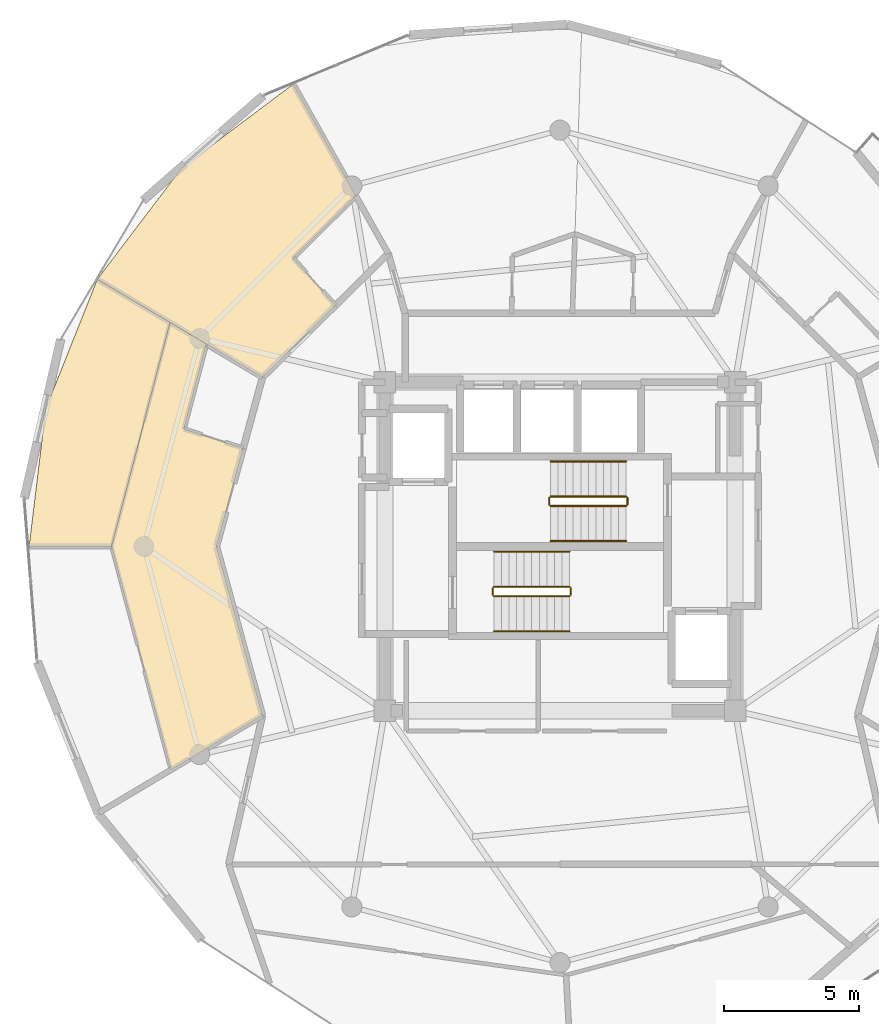
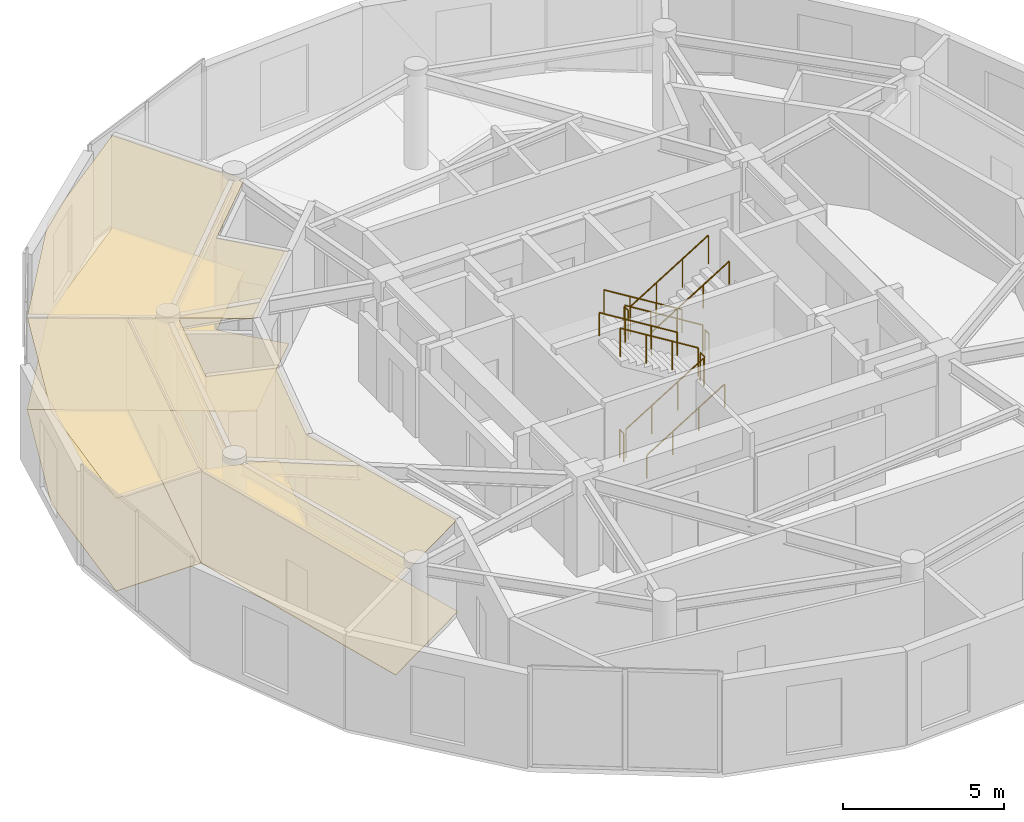
# One storey, part 21 of 22: 12 railings, 6 coverings.
"""IFC4 building model written with IfcOpenShell, lengths in metres."""

from ifc_helpers import new_model, si_unit, direction, frame, origin, origin_2d, place, context, subcontext, project, spatial, polyline, circle, outline, extrude, material, layer, layer_set, type_object, element, save


model = new_model("IFC4")

# Units and contexts
model_context = context("Model", 3, precision=1e-05, world=origin(), true_north=direction((0.0, 1.0)))
body_context = subcontext(model_context, "Body", "Model", "MODEL_VIEW")
ifc_project = project(units=[si_unit("LENGTHUNIT", "METRE"), si_unit("AREAUNIT", "SQUARE_METRE"), si_unit("VOLUMEUNIT", "CUBIC_METRE"), si_unit("PLANEANGLEUNIT", "RADIAN"), si_unit("MASSUNIT", "GRAM", prefix="KILO")], contexts=[model_context])

# Site, building, storey
site_placement = place(None, origin())
site = spatial("IfcSite", under=ifc_project, at=site_placement, CompositionType="ELEMENT")
building_placement = place(site_placement, origin())
building = spatial("IfcBuilding", under=site, at=building_placement, Name="Solvirekh Grand Hotel", CompositionType="ELEMENT")
storey_placement = place(building_placement, frame((0.0, 0.0, 239.199951171875)))
storey = spatial("IfcBuildingStorey", under=building, at=storey_placement, Name="L62", CompositionType="ELEMENT", Elevation=239.199951171875)

# Coverings
ifc_material_1 = material(Name="Acoustic Mineral Ceiling Tile")
ifc_layer_1 = layer(ifc_material_1, 0.02490234375)
ifc_layer_set_1 = layer_set([ifc_layer_1], Name="Acoustic Mineral Ceiling Tile")
covering_type_1 = type_object("IfcCoveringType", Name="Cov_Ceiling_Acoustic", PredefinedType="CEILING", material=ifc_layer_set_1)
covering_1_placement = place(storey_placement, frame((0.0, 0.0, 3.52001953125)))
element("IfcCovering", 1, at=covering_1_placement, inside=storey, type_object=covering_type_1, Name="L62 Deluxe Guestroom 6403 acoustic ceiling", PredefinedType="CEILING", context=body_context, shape_type="SweptSolid", body=[
    extrude(outline(polyline([(-9.906982421875, 10.699951171875), (-7.574951171875, 13.007080078125), (-9.905029296875, 17.156005859375), (-14.0439453125, 14.0439453125), (-17.173095703125, 9.9150390625), (-11.0419921875, 6.27490234375), (-8.3349609375, 8.93994140625), (-9.906982421875, 10.699951171875)])), origin(), (0.0, 0.0, 1.0), 0.01806640625),
])
covering_2_placement = place(storey_placement, frame((0.0, 0.0, 3.52001953125)))
element("IfcCovering", 2, at=covering_2_placement, inside=storey, type_object=covering_type_1, Name="L62 Executive Suite 6404 Living Room acoustic ceiling", PredefinedType="CEILING", context=body_context, shape_type="SweptSolid", body=[
    extrude(outline(polyline([(-13.9609375, 4.35791015625), (-13.126953125, 7.512939453125), (-14.47509765625, 8.31298828125), (-16.64501953125, 0.0), (-14.443115234375, -8.294921875), (-11.0419921875, -6.27490234375), (-12.75, 0.0), (-11.759033203125, 3.639892578125), (-13.9609375, 4.35791015625)])), origin(), (0.0, 0.0, 1.0), 0.01806640625),
])
covering_3_placement = place(storey_placement, frame((0.0, 0.0, 3.52001953125)))
element("IfcCovering", 3, at=covering_3_placement, inside=storey, type_object=covering_type_1, Name="L62 Executive Suite 6404 Master Bedroom acoustic ceiling", PredefinedType="CEILING", context=body_context, shape_type="SweptSolid", body=[
    extrude(outline(polyline([(-17.173095703125, 9.9150390625), (-19.0859375, 5.114013671875), (-19.705078125, 0.0), (-16.64501953125, 0.0), (-14.47509765625, 8.31298828125), (-17.173095703125, 9.9150390625)])), origin(), (0.0, 0.0, 1.0), 0.01806640625),
])
ifc_material_2 = material(Name="Porcelain Stoneware Flooring", Category="masonry")
ifc_layer_2 = layer(ifc_material_2, 0.030029296875)
ifc_layer_set_2 = layer_set([ifc_layer_2], Name="Porcelain Stoneware Flooring")
covering_type_2 = type_object("IfcCoveringType", Name="Cov_Floor_Stone", PredefinedType="FLOORING", material=ifc_layer_set_2)
covering_4_placement = place(storey_placement, origin())
element("IfcCovering", 4, at=covering_4_placement, inside=storey, type_object=covering_type_2, Name="L62 Deluxe Guestroom 6403 polished granite flooring", PredefinedType="FLOORING", context=body_context, shape_type="SweptSolid", body=[
    extrude(outline(polyline([(-9.906982421875, 10.699951171875), (-7.574951171875, 13.007080078125), (-9.905029296875, 17.156005859375), (-14.0439453125, 14.0439453125), (-17.173095703125, 9.9150390625), (-11.0419921875, 6.27490234375), (-8.3349609375, 8.93994140625), (-9.906982421875, 10.699951171875)])), origin(), (0.0, 0.0, 1.0), 0.02001953125),
])
covering_5_placement = place(storey_placement, origin())
element("IfcCovering", 5, at=covering_5_placement, inside=storey, type_object=covering_type_2, Name="L62 Executive Suite 6404 Living Room polished granite flooring", PredefinedType="FLOORING", context=body_context, shape_type="SweptSolid", body=[
    extrude(outline(polyline([(-13.9609375, 4.35791015625), (-13.126953125, 7.512939453125), (-14.47509765625, 8.31298828125), (-16.64501953125, 0.0), (-14.443115234375, -8.294921875), (-11.0419921875, -6.27490234375), (-12.75, 0.0), (-11.759033203125, 3.639892578125), (-13.9609375, 4.35791015625)])), origin(), (0.0, 0.0, 1.0), 0.02001953125),
])
covering_6_placement = place(storey_placement, origin())
element("IfcCovering", 6, at=covering_6_placement, inside=storey, type_object=covering_type_2, Name="L62 Executive Suite 6404 Master Bedroom polished granite flooring", PredefinedType="FLOORING", context=body_context, shape_type="SweptSolid", body=[
    extrude(outline(polyline([(-17.173095703125, 9.9150390625), (-19.0859375, 5.114013671875), (-19.705078125, 0.0), (-16.64501953125, 0.0), (-14.47509765625, 8.31298828125), (-17.173095703125, 9.9150390625)])), origin(), (0.0, 0.0, 1.0), 0.02001953125),
])

# Railings
ifc_material_3 = material(Name="Steel S355", Category="steel")
railing_type_1 = type_object("IfcRailingType", Name="Guard_Stair_1100", PredefinedType="GUARDRAIL", material=ifc_material_3)
railing_1_placement = place(storey_placement, frame((-2.449951171875, -1.85009765625, 0.1728515625)))
element("IfcRailing", 7, at=railing_1_placement, inside=storey, type_object=railing_type_1, Name="L62 ST-1 stair guard 1", PredefinedType="GUARDRAIL", context=body_context, shape_type="SweptSolid", body=[
    extrude(circle(Radius=0.02392578125, at=origin_2d()), frame((0.0, 0.0, 1.076171875), z_axis=(0.851089632645, 0.0, 0.525020415988), x_axis=(0.0, 1.0, 0.0)), (0.0, 0.0, 1.0), 3.2900390625),
    extrude(circle(Radius=0.02099609375, at=origin_2d()), origin(), (0.0, 0.0, 1.0), 1.052001953125),
    extrude(circle(Radius=0.02099609375, at=origin_2d()), frame((0.933349609375, 0.0, 0.57568359375)), (0.0, 0.0, 1.0), 1.052001953125),
    extrude(circle(Radius=0.02099609375, at=origin_2d()), frame((1.86669921875, 0.0, 1.151611328125)), (0.0, 0.0, 1.0), 1.052001953125),
    extrude(circle(Radius=0.02099609375, at=origin_2d()), frame((2.800048828125, 0.0, 1.727294921875)), (0.0, 0.0, 1.0), 1.052001953125),
])
railing_2_placement = place(storey_placement, frame((0.39990234375, -1.800048828125, 1.900146484375)))
element("IfcRailing", 8, at=railing_2_placement, inside=storey, type_object=railing_type_1, Name="L62 ST-1 stair guard 2", PredefinedType="GUARDRAIL", context=body_context, shape_type="SweptSolid", body=[
    extrude(circle(Radius=0.02392578125, at=origin_2d()), frame((0.0, 0.0, 1.076171875), z_axis=(0.0, 1.0, 0.0), x_axis=(-1.0, 0.0, 0.0)), (0.0, 0.0, 1.0), 0.25),
    extrude(circle(Radius=0.02099609375, at=origin_2d()), origin(), (0.0, 0.0, 1.0), 1.052001953125),
    extrude(circle(Radius=0.02099609375, at=origin_2d()), frame((0.0, 0.25, 0.0)), (0.0, 0.0, 1.0), 1.052001953125),
])
railing_3_placement = place(storey_placement, frame((0.35009765625, -1.5, 2.07275390625)))
element("IfcRailing", 9, at=railing_3_placement, inside=storey, type_object=railing_type_1, Name="L62 ST-1 stair guard 3", PredefinedType="GUARDRAIL", context=body_context, shape_type="SweptSolid", body=[
    extrude(circle(Radius=0.02392578125, at=origin_2d()), frame((0.0, 0.0, 1.076171875), z_axis=(-0.851089632645, 0.0, 0.525020415988), x_axis=(0.0, -1.0, 0.0)), (0.0, 0.0, 1.0), 3.2900390625),
    extrude(circle(Radius=0.02099609375, at=origin_2d()), origin(), (0.0, 0.0, 1.0), 1.052001953125),
    extrude(circle(Radius=0.02099609375, at=origin_2d()), frame((-0.933349609375, 0.0, 0.57568359375)), (0.0, 0.0, 1.0), 1.052001953125),
    extrude(circle(Radius=0.02099609375, at=origin_2d()), frame((-1.86669921875, 0.0, 1.151611328125)), (0.0, 0.0, 1.0), 1.052001953125),
    extrude(circle(Radius=0.02099609375, at=origin_2d()), frame((-2.800048828125, 0.0, 1.727294921875)), (0.0, 0.0, 1.0), 1.052001953125),
])
railing_4_placement = place(storey_placement, frame((-2.5, -1.800048828125, 0.0)))
element("IfcRailing", 10, at=railing_4_placement, inside=storey, type_object=railing_type_1, Name="L62 ST-1 stair guard 4", PredefinedType="GUARDRAIL", context=body_context, shape_type="SweptSolid", body=[
    extrude(circle(Radius=0.02392578125, at=origin_2d()), frame((0.0, 0.0, 1.076171875), z_axis=(0.0, 1.0, 0.0), x_axis=(-1.0, 0.0, 0.0)), (0.0, 0.0, 1.0), 0.25),
    extrude(circle(Radius=0.02099609375, at=origin_2d()), origin(), (0.0, 0.0, 1.0), 1.052001953125),
    extrude(circle(Radius=0.02099609375, at=origin_2d()), frame((0.0, 0.25, 0.0)), (0.0, 0.0, 1.0), 1.052001953125),
])
railing_5_placement = place(storey_placement, frame((2.449951171875, 1.85009765625, 0.1728515625)))
element("IfcRailing", 11, at=railing_5_placement, inside=storey, type_object=railing_type_1, Name="L62 ST-2 stair guard 1", PredefinedType="GUARDRAIL", context=body_context, shape_type="SweptSolid", body=[
    extrude(circle(Radius=0.02392578125, at=origin_2d()), frame((0.0, 0.0, 1.076171875), z_axis=(-0.851089632645, 0.0, 0.525020415988), x_axis=(0.0, -1.0, 0.0)), (0.0, 0.0, 1.0), 3.2900390625),
    extrude(circle(Radius=0.02099609375, at=origin_2d()), origin(), (0.0, 0.0, 1.0), 1.052001953125),
    extrude(circle(Radius=0.02099609375, at=origin_2d()), frame((-0.933349609375, 0.0, 0.57568359375)), (0.0, 0.0, 1.0), 1.052001953125),
    extrude(circle(Radius=0.02099609375, at=origin_2d()), frame((-1.86669921875, 0.0, 1.151611328125)), (0.0, 0.0, 1.0), 1.052001953125),
    extrude(circle(Radius=0.02099609375, at=origin_2d()), frame((-2.800048828125, 0.0, 1.727294921875)), (0.0, 0.0, 1.0), 1.052001953125),
])
railing_6_placement = place(storey_placement, frame((-0.39990234375, 1.800048828125, 1.900146484375)))
element("IfcRailing", 12, at=railing_6_placement, inside=storey, type_object=railing_type_1, Name="L62 ST-2 stair guard 2", PredefinedType="GUARDRAIL", context=body_context, shape_type="SweptSolid", body=[
    extrude(circle(Radius=0.02392578125, at=origin_2d()), frame((0.0, 0.0, 1.076171875), z_axis=(0.0, -1.0, 0.0), x_axis=(1.0, 0.0, 0.0)), (0.0, 0.0, 1.0), 0.25),
    extrude(circle(Radius=0.02099609375, at=origin_2d()), origin(), (0.0, 0.0, 1.0), 1.052001953125),
    extrude(circle(Radius=0.02099609375, at=origin_2d()), frame((0.0, -0.25, 0.0)), (0.0, 0.0, 1.0), 1.052001953125),
])
railing_7_placement = place(storey_placement, frame((-0.35009765625, 1.5, 2.07275390625)))
element("IfcRailing", 13, at=railing_7_placement, inside=storey, type_object=railing_type_1, Name="L62 ST-2 stair guard 3", PredefinedType="GUARDRAIL", context=body_context, shape_type="SweptSolid", body=[
    extrude(circle(Radius=0.02392578125, at=origin_2d()), frame((0.0, 0.0, 1.076171875), z_axis=(0.851089632645, 0.0, 0.525020415988), x_axis=(0.0, 1.0, 0.0)), (0.0, 0.0, 1.0), 3.2900390625),
    extrude(circle(Radius=0.02099609375, at=origin_2d()), origin(), (0.0, 0.0, 1.0), 1.052001953125),
    extrude(circle(Radius=0.02099609375, at=origin_2d()), frame((0.933349609375, 0.0, 0.57568359375)), (0.0, 0.0, 1.0), 1.052001953125),
    extrude(circle(Radius=0.02099609375, at=origin_2d()), frame((1.86669921875, 0.0, 1.151611328125)), (0.0, 0.0, 1.0), 1.052001953125),
    extrude(circle(Radius=0.02099609375, at=origin_2d()), frame((2.800048828125, 0.0, 1.727294921875)), (0.0, 0.0, 1.0), 1.052001953125),
])
railing_8_placement = place(storey_placement, frame((2.5, 1.800048828125, 0.0)))
element("IfcRailing", 14, at=railing_8_placement, inside=storey, type_object=railing_type_1, Name="L62 ST-2 stair guard 4", PredefinedType="GUARDRAIL", context=body_context, shape_type="SweptSolid", body=[
    extrude(circle(Radius=0.02392578125, at=origin_2d()), frame((0.0, 0.0, 1.076171875), z_axis=(0.0, -1.0, 0.0), x_axis=(1.0, 0.0, 0.0)), (0.0, 0.0, 1.0), 0.25),
    extrude(circle(Radius=0.02099609375, at=origin_2d()), origin(), (0.0, 0.0, 1.0), 1.052001953125),
    extrude(circle(Radius=0.02099609375, at=origin_2d()), frame((0.0, -0.25, 0.0)), (0.0, 0.0, 1.0), 1.052001953125),
])
ifc_material_4 = material(Name="Anodized Bronze Aluminium 6063-T6", Category="aluminium")
railing_type_2 = type_object("IfcRailingType", Name="Handrail_Wall_900", PredefinedType="HANDRAIL", material=ifc_material_4)
railing_9_placement = place(storey_placement, frame((-2.449951171875, -3.14990234375, 0.1728515625)))
element("IfcRailing", 15, at=railing_9_placement, inside=storey, type_object=railing_type_2, Name="L62 ST-1 stair handrail 1", PredefinedType="HANDRAIL", context=body_context, shape_type="SweptSolid", body=[
    extrude(circle(Radius=0.02392578125, at=origin_2d()), frame((0.0, 0.0, 0.8759765625), z_axis=(0.851089632645, 0.0, 0.525020415988), x_axis=(0.0, 1.0, 0.0)), (0.0, 0.0, 1.0), 3.2900390625),
    extrude(circle(Radius=0.02099609375, at=origin_2d()), origin(), (0.0, 0.0, 1.0), 0.851806640625),
    extrude(circle(Radius=0.02099609375, at=origin_2d()), frame((0.933349609375, 0.0, 0.57568359375)), (0.0, 0.0, 1.0), 0.851806640625),
    extrude(circle(Radius=0.02099609375, at=origin_2d()), frame((1.86669921875, 0.0, 1.151611328125)), (0.0, 0.0, 1.0), 0.851806640625),
    extrude(circle(Radius=0.02099609375, at=origin_2d()), frame((2.800048828125, 0.0, 1.727294921875)), (0.0, 0.0, 1.0), 0.851806640625),
])
for number, where, name in (
    (16, (0.35009765625, -0.199951171875, 2.07275390625), "L62 ST-1 stair handrail 2"),
    (17, (2.449951171875, 3.14990234375, 0.1728515625), "L62 ST-2 stair handrail 1"),
):
    element("IfcRailing", number, at=place(storey_placement, frame(where)), inside=storey, type_object=railing_type_2, Name=name, PredefinedType="HANDRAIL", context=body_context, shape_type="SweptSolid", body=[
        extrude(circle(Radius=0.02392578125, at=origin_2d()), frame((0.0, 0.0, 0.8759765625), z_axis=(-0.851089632645, 0.0, 0.525020415988), x_axis=(0.0, -1.0, 0.0)), (0.0, 0.0, 1.0), 3.2900390625),
        extrude(circle(Radius=0.02099609375, at=origin_2d()), origin(), (0.0, 0.0, 1.0), 0.851806640625),
        extrude(circle(Radius=0.02099609375, at=origin_2d()), frame((-0.933349609375, 0.0, 0.57568359375)), (0.0, 0.0, 1.0), 0.851806640625),
        extrude(circle(Radius=0.02099609375, at=origin_2d()), frame((-1.86669921875, 0.0, 1.151611328125)), (0.0, 0.0, 1.0), 0.851806640625),
        extrude(circle(Radius=0.02099609375, at=origin_2d()), frame((-2.800048828125, 0.0, 1.727294921875)), (0.0, 0.0, 1.0), 0.851806640625),
    ])
railing_10_placement = place(storey_placement, frame((-0.35009765625, 0.199951171875, 2.07275390625)))
element("IfcRailing", 18, at=railing_10_placement, inside=storey, type_object=railing_type_2, Name="L62 ST-2 stair handrail 2", PredefinedType="HANDRAIL", context=body_context, shape_type="SweptSolid", body=[
    extrude(circle(Radius=0.02392578125, at=origin_2d()), frame((0.0, 0.0, 0.8759765625), z_axis=(0.851089632645, 0.0, 0.525020415988), x_axis=(0.0, 1.0, 0.0)), (0.0, 0.0, 1.0), 3.2900390625),
    extrude(circle(Radius=0.02099609375, at=origin_2d()), origin(), (0.0, 0.0, 1.0), 0.851806640625),
    extrude(circle(Radius=0.02099609375, at=origin_2d()), frame((0.933349609375, 0.0, 0.57568359375)), (0.0, 0.0, 1.0), 0.851806640625),
    extrude(circle(Radius=0.02099609375, at=origin_2d()), frame((1.86669921875, 0.0, 1.151611328125)), (0.0, 0.0, 1.0), 0.851806640625),
    extrude(circle(Radius=0.02099609375, at=origin_2d()), frame((2.800048828125, 0.0, 1.727294921875)), (0.0, 0.0, 1.0), 0.851806640625),
])

save(model, "model.ifc")
